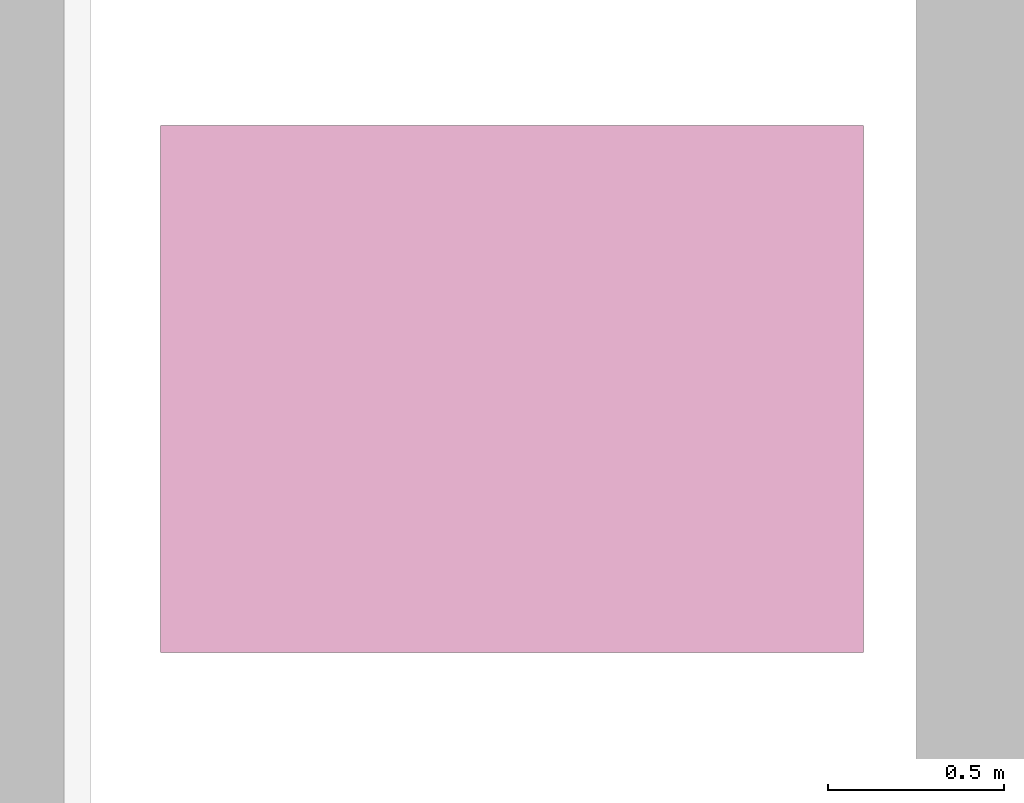
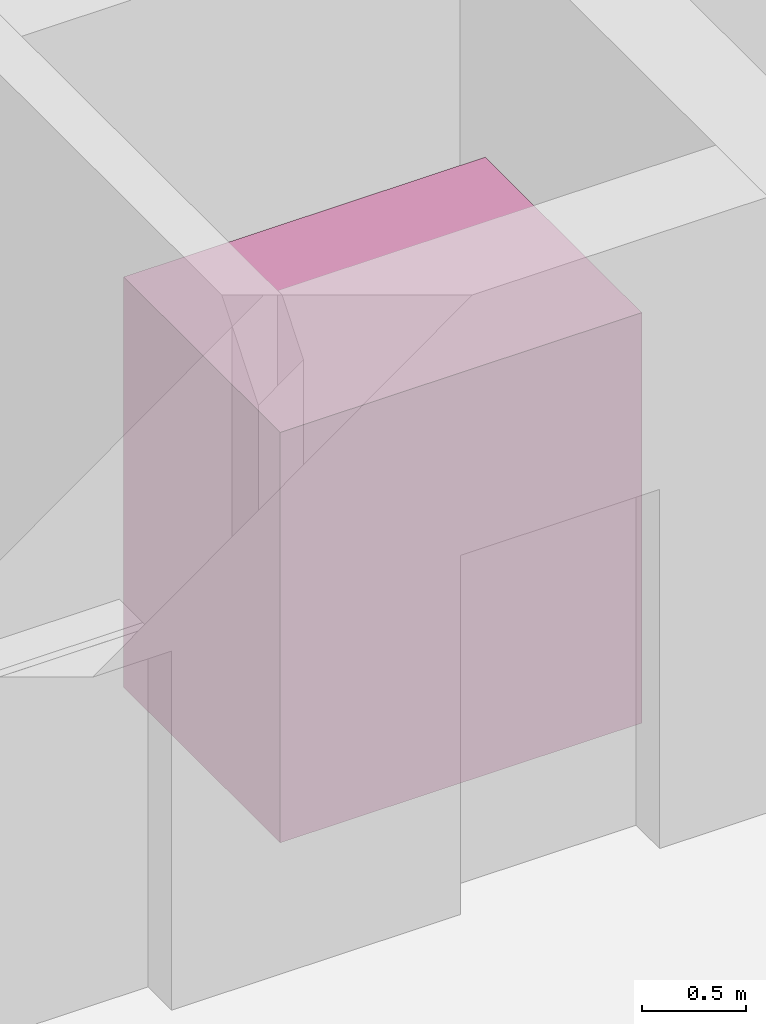
# One storey, part 12 of 12: 1 transport element.
"""IFC4 building model written with IfcOpenShell, lengths in metres."""

from ifc_helpers import new_model, si_unit, direction, frame, origin, origin_2d, place, context, subcontext, project, spatial, rectangle, extrude, material, type_object, element, save


model = new_model("IFC4")

# Units and contexts
model_context = context("Model", 3, precision=1e-05, world=origin(), true_north=direction((0.0, 1.0)))
body_context = subcontext(model_context, "Body", "Model", "MODEL_VIEW")
ifc_project = project(units=[si_unit("LENGTHUNIT", "METRE"), si_unit("AREAUNIT", "SQUARE_METRE"), si_unit("VOLUMEUNIT", "CUBIC_METRE"), si_unit("PLANEANGLEUNIT", "RADIAN"), si_unit("MASSUNIT", "GRAM", prefix="KILO")], contexts=[model_context])

# Site, building, storey
site_placement = place(None, origin())
site = spatial("IfcSite", under=ifc_project, at=site_placement, CompositionType="ELEMENT")
building_placement = place(site_placement, origin())
building = spatial("IfcBuilding", under=site, at=building_placement, Name="Torre Alcanfor", CompositionType="ELEMENT")
storey_placement = place(building_placement, frame((0.0, 0.0, 183.300048828125)))
storey = spatial("IfcBuildingStorey", under=building, at=storey_placement, Name="L47", CompositionType="ELEMENT", Elevation=183.300048828125)

# Transport element
ifc_material = material(Name="Stainless steel sheet ASTM A240 Type 304", Category="steel")
transport_element_type = type_object("IfcTransportElementType", Name="Passenger lift car 2000x1500", PredefinedType="ELEVATOR", material=ifc_material)
transport_element_placement = place(storey_placement, frame((30.800048828125, 36.050048828125, 0.0), z_axis=(0.0, 0.0, 1.0), x_axis=(1.0, 0.0, 0.0)))
element("IfcTransportElement", 1, at=transport_element_placement, inside=storey, type_object=transport_element_type, Name="Lift PA5", PredefinedType="ELEVATOR", context=body_context, shape_type="SweptSolid", body=[
    extrude(rectangle(XDim=2.0, YDim=1.5, at=origin_2d()), origin(), (0.0, 0.0, 1.0), 2.39990234375),
])

save(model, "model.ifc")
